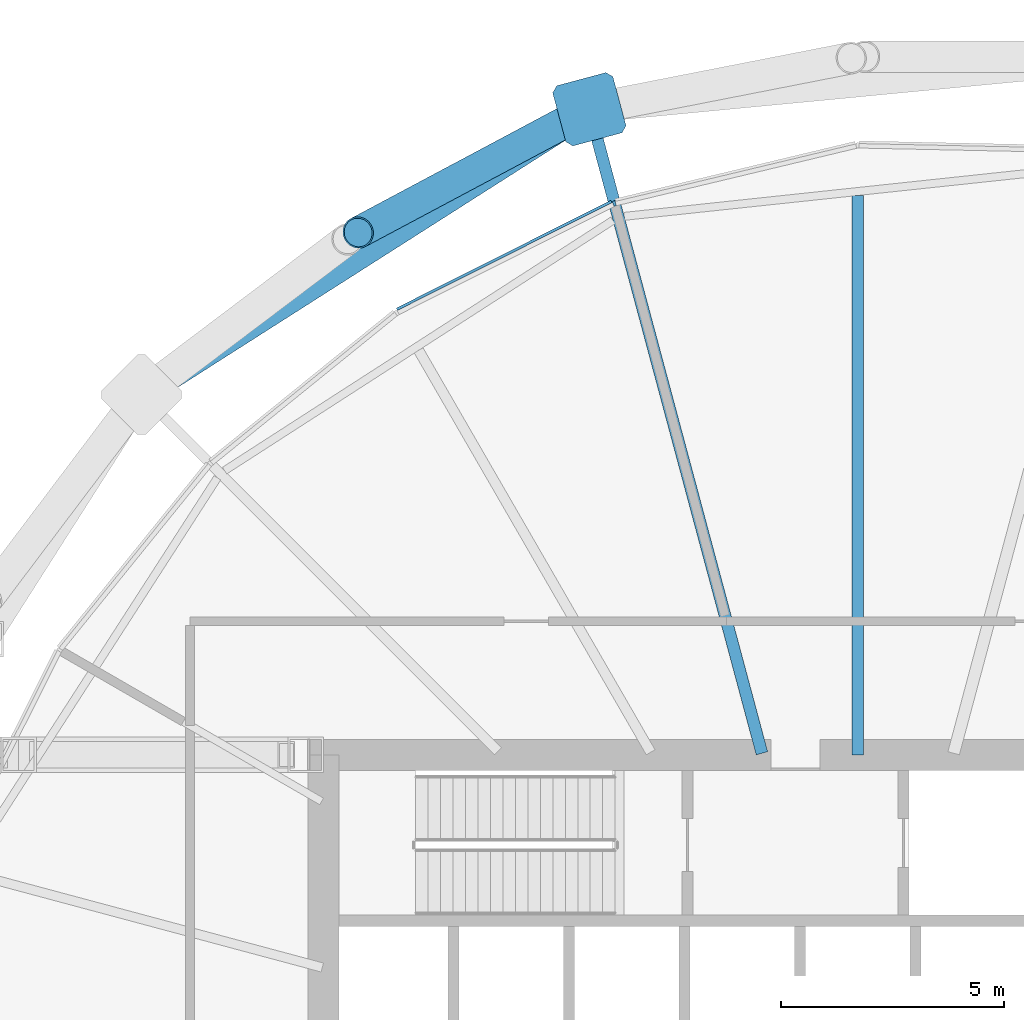
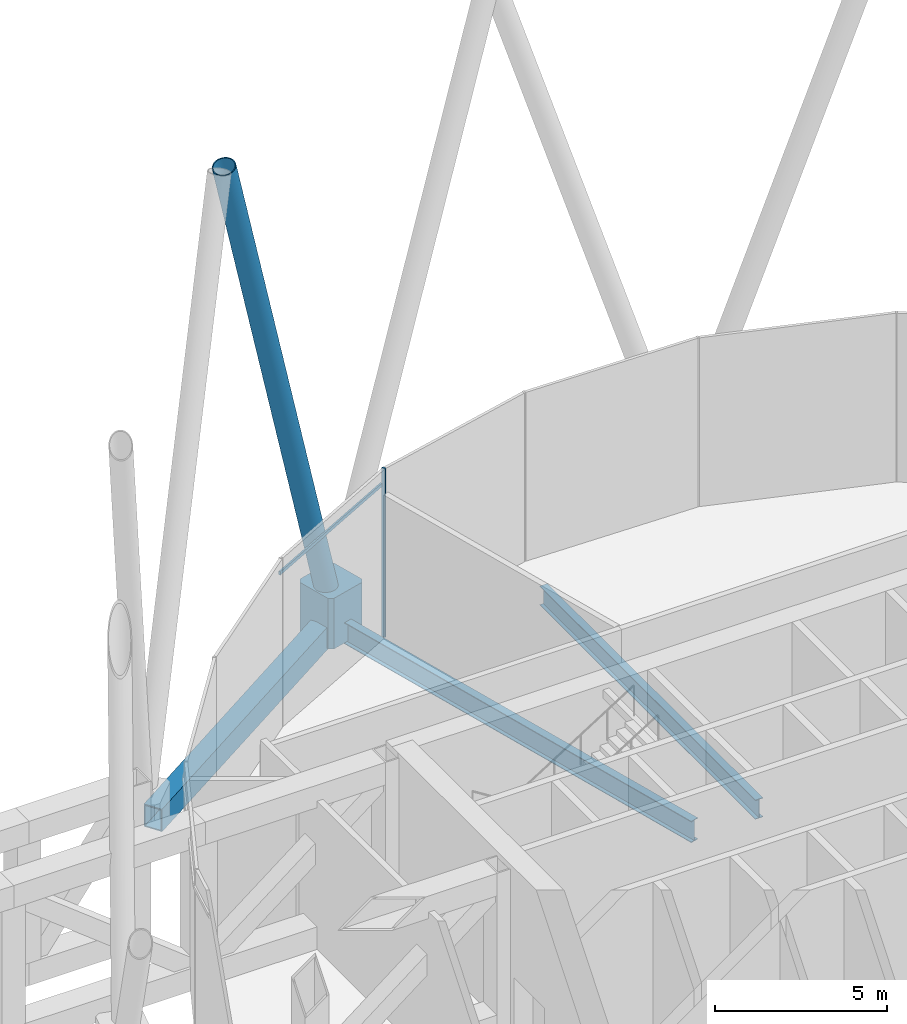
# One storey, part 26 of 39: 4 members, 3 beams, 1 element without a shape of its own.
"""IFC4 building model written with IfcOpenShell, lengths in metres."""

from ifc_helpers import new_model, si_unit, direction, frame, origin, origin_2d, place, context, subcontext, project, spatial, polyline, rectangle, hollow_rectangle, hollow_circle, i_section, outline, extrude, material, material_profile, profile_set, type_object, element, aggregate, save


model = new_model("IFC4")

# Units and contexts
model_context = context("Model", 3, precision=1e-05, world=origin(), true_north=direction((0.0, 1.0)))
body_context = subcontext(model_context, "Body", "Model", "MODEL_VIEW")
ifc_project = project(units=[si_unit("LENGTHUNIT", "METRE"), si_unit("AREAUNIT", "SQUARE_METRE"), si_unit("VOLUMEUNIT", "CUBIC_METRE"), si_unit("PLANEANGLEUNIT", "RADIAN"), si_unit("MASSUNIT", "GRAM", prefix="KILO")], contexts=[model_context])

# Site, building, storey
site_placement = place(None, origin())
site = spatial("IfcSite", under=ifc_project, at=site_placement, CompositionType="ELEMENT")
building_placement = place(site_placement, origin())
building = spatial("IfcBuilding", under=site, at=building_placement, Name="Rimbun Link Towers", CompositionType="ELEMENT")
storey_placement = place(building_placement, frame((0.0, 0.0, 127.199951171875)))
storey = spatial("IfcBuildingStorey", under=building, at=storey_placement, Name="L31", CompositionType="ELEMENT", Elevation=127.199951171875)

# Curtain wall, members
ifc_material_1 = material(Name="Aluminium 6063-T6 louvre wall", Category="aluminium")
curtain_wall_type = type_object("IfcCurtainWallType", Name="CW6 plant floor louvre wall", PredefinedType="NOTDEFINED", material=ifc_material_1)
curtain_wall_placement = place(storey_placement, origin())
curtain_wall = element("IfcCurtainWall", 1, at=curtain_wall_placement, inside=storey, type_object=curtain_wall_type, Name="CW6 L31 T2", PredefinedType="NOTDEFINED")
ifc_material_2 = material(Name="Aluminium 6063-T6", Category="aluminium")
ifc_material_profile_1 = material_profile(ifc_material_2, rectangle(XDim=0.1201171875, YDim=0.06005859375, at=origin_2d()), Name="MULLION 60X120")
ifc_profile_set_1 = profile_set([ifc_material_profile_1], Name="Aluminium 6063-T6")
member_type_1 = type_object("IfcMemberType", Name="CW6 mullion 60X120", PredefinedType="MULLION", material=ifc_profile_set_1)
member_1_placement = place(storey_placement, frame((26.282470703125, 20.38427734375, 0.0), z_axis=(0.0, 0.0, 1.0), x_axis=(-0.342974763868, 0.939344617992, 0.0)))
member_1 = element("IfcMember", 2, at=member_1_placement, type_object=member_type_1, Name="CW6 mullion", PredefinedType="MULLION", context=body_context, shape_type="SweptSolid", body=[
    extrude(rectangle(XDim=0.1201171875, YDim=0.06005859375, at=origin_2d()), origin(), (0.0, 0.0, 1.0), 6.0),
])
ifc_material_3 = material(Name="Aluminium 6063-T6", Category="aluminium")
ifc_material_profile_2 = material_profile(ifc_material_3, rectangle(XDim=0.06005859375, YDim=0.1201171875, at=origin_2d()), Name="TRANSOM 60X120")
ifc_profile_set_2 = profile_set([ifc_material_profile_2], Name="Aluminium 6063-T6")
member_type_2 = type_object("IfcMemberType", Name="CW6 transom 60X120", PredefinedType="USERDEFINED", material=ifc_profile_set_2)
member_2_placement = place(storey_placement, frame((21.395751953125, 18.009033203125, 5.400146484375), z_axis=(0.893647650402, 0.448769291431, 0.0), x_axis=(-0.448769291431, 0.893647650402, 0.0)))
member_2 = element("IfcMember", 3, at=member_2_placement, type_object=member_type_2, Name="CW6 transom", ObjectType="TRANSOM", PredefinedType="USERDEFINED", context=body_context, shape_type="SweptSolid", body=[
    extrude(rectangle(XDim=0.06005859375, YDim=0.1201171875, at=origin_2d()), origin(), (0.0, 0.0, 1.0), 5.396240234375),
])
aggregate(curtain_wall, [member_1, member_2])

# Members
ifc_material_4 = material(Name="Steel S460NH", Category="steel")
ifc_material_profile_3 = material_profile(ifc_material_4, hollow_circle(Radius=0.355712890625, WallThickness=0.031982421875, at=origin_2d()), Name="Diagrid diagonal CHS 711x32")
ifc_profile_set_3 = profile_set([ifc_material_profile_3], Name="Steel S460NH")
member_type_3 = type_object("IfcMemberType", Name="Diagrid diagonal CHS 711x32", PredefinedType="BRACE", material=ifc_profile_set_3)
member_3_placement = place(storey_placement, frame((25.591064453125, 22.43212890625, 0.47802734375), z_axis=(-0.259582421547, -0.138395565183, 0.955752914702), x_axis=(0.470460154362, -0.882421239068, 0.0)))
element("IfcMember", 4, at=member_3_placement, inside=storey, type_object=member_type_3, Name="Diagrid diagonal T2 L31-L35 04b", PredefinedType="BRACE", context=body_context, shape_type="SweptSolid", body=[
    extrude(hollow_circle(Radius=0.355712890625, WallThickness=0.031982421875, at=origin_2d()), origin(), (0.0, 0.0, 1.0), 19.507080078125),
])
ifc_material_5 = material(Name="Cast steel G20Mn5+QT, Rp0.2 300 MPa", Category="steel")
ifc_material_profile_4 = material_profile(ifc_material_5, outline(polyline([(0.699951171875, -0.570068359375), (0.699951171875, 0.570068359375), (0.570068359375, 0.699951171875), (-0.570068359375, 0.699951171875), (-0.699951171875, 0.570068359375), (-0.699951171875, -0.570068359375), (-0.570068359375, -0.699951171875), (0.570068359375, -0.699951171875), (0.699951171875, -0.570068359375)])), Name="NODE 1400x1400")
ifc_profile_set_4 = profile_set([ifc_material_profile_4], Name="Cast steel G20Mn5+QT, Rp0.2 300 MPa")
member_type_4 = type_object("IfcMemberType", Name="Diagrid node cast 1400", PredefinedType="USERDEFINED", material=ifc_profile_set_4)
member_4_placement = place(storey_placement, frame((25.720703125, 22.501220703125, -0.89990234375), z_axis=(0.0, 0.0, 1.0), x_axis=(-0.258819045103, 0.965925826289, 0.0)))
element("IfcMember", 5, at=member_4_placement, inside=storey, type_object=member_type_4, Name="Diagrid node L31 04", ObjectType="Diagrid node", PredefinedType="USERDEFINED", context=body_context, shape_type="SweptSolid", body=[
    extrude(outline(polyline([(0.699951171875, -0.570068359375), (0.699951171875, 0.570068359375), (0.570068359375, 0.699951171875), (-0.570068359375, 0.699951171875), (-0.699951171875, 0.570068359375), (-0.699951171875, -0.570068359375), (-0.570068359375, -0.699951171875), (0.570068359375, -0.699951171875), (0.699951171875, -0.570068359375)])), origin(), (0.0, 0.0, 1.0), 1.800048828125),
])

# Beams
ifc_material_6 = material(Name="Steel S355J2", Category="steel")
ifc_material_profile_5 = material_profile(ifc_material_6, hollow_rectangle(XDim=0.60009765625, YDim=0.800048828125, WallThickness=0.0400390625, at=origin_2d()), Name="Exoskeleton ring girder BOX 600x800x40")
ifc_profile_set_5 = profile_set([ifc_material_profile_5], Name="Steel S355J2")
beam_type_1 = type_object("IfcBeamType", Name="Exoskeleton ring girder BOX 600x800x40", PredefinedType="BEAM", material=ifc_profile_set_5)
beam_1_placement = place(storey_placement, frame((25.130615234375, 22.125, -0.56005859375), z_axis=(-0.843319537927, -0.537412464454, 0.0), x_axis=(0.537412464454, -0.843319537927, 0.0)))
element("IfcBeam", 6, at=beam_1_placement, inside=storey, type_object=beam_type_1, Name="Exoskeleton ring girder L31 02", PredefinedType="BEAM", context=body_context, shape_type="SweptSolid", body=[
    extrude(hollow_rectangle(XDim=0.60009765625, YDim=0.800048828125, WallThickness=0.0400390625, at=origin_2d()), origin(), (0.0, 0.0, 1.0), 10.530029296875),
])
ifc_material_7 = material(Name="Steel S355J2", Category="steel")
ifc_material_profile_6 = material_profile(ifc_material_7, i_section(OverallWidth=0.253662109375, OverallDepth=0.68359375, WebThickness=0.012451171875, FlangeThickness=0.01904296875, at=origin_2d()), Name="UB 686x254x140")
ifc_profile_set_6 = profile_set([ifc_material_profile_6], Name="Steel S355J2")
beam_type_2 = type_object("IfcBeamType", Name="UB 686x254x140", PredefinedType="BEAM", material=ifc_profile_set_6)
beam_2_placement = place(storey_placement, frame((31.75, 8.0009765625, -0.521728515625), z_axis=(0.0, 1.0, 0.0), x_axis=(-1.0, 0.0, 0.0)))
element("IfcBeam", 7, at=beam_2_placement, inside=storey, type_object=beam_type_2, Name="Radial beam T2 L31 03", PredefinedType="BEAM", context=body_context, shape_type="SweptSolid", body=[
    extrude(i_section(OverallWidth=0.253662109375, OverallDepth=0.68359375, WebThickness=0.012451171875, FlangeThickness=0.01904296875, at=origin_2d()), origin(), (0.0, 0.0, 1.0), 12.562744140625),
])
ifc_material_8 = material(Name="Steel S355J2", Category="steel")
ifc_material_profile_7 = material_profile(ifc_material_8, i_section(OverallWidth=0.2666015625, OverallDepth=0.76220703125, WebThickness=0.014404296875, FlangeThickness=0.021484375, at=origin_2d()), Name="UB 762x267x173")
ifc_profile_set_7 = profile_set([ifc_material_profile_7], Name="Steel S355J2")
beam_type_3 = type_object("IfcBeamType", Name="UB 762x267x173", PredefinedType="BEAM", material=ifc_profile_set_7)
beam_3_placement = place(storey_placement, frame((29.596923828125, 8.035400390625, -0.56103515625), z_axis=(-0.258826565787, 0.965923811096, 0.0), x_axis=(-0.965923811096, -0.258826565787, 0.0)))
element("IfcBeam", 8, at=beam_3_placement, inside=storey, type_object=beam_type_3, Name="Radial beam T2 L31 04", PredefinedType="BEAM", context=body_context, shape_type="SweptSolid", body=[
    extrude(i_section(OverallWidth=0.2666015625, OverallDepth=0.76220703125, WebThickness=0.014404296875, FlangeThickness=0.021484375, at=origin_2d()), origin(), (0.0, 0.0, 1.0), 14.476318359375),
])

save(model, "model.ifc")
